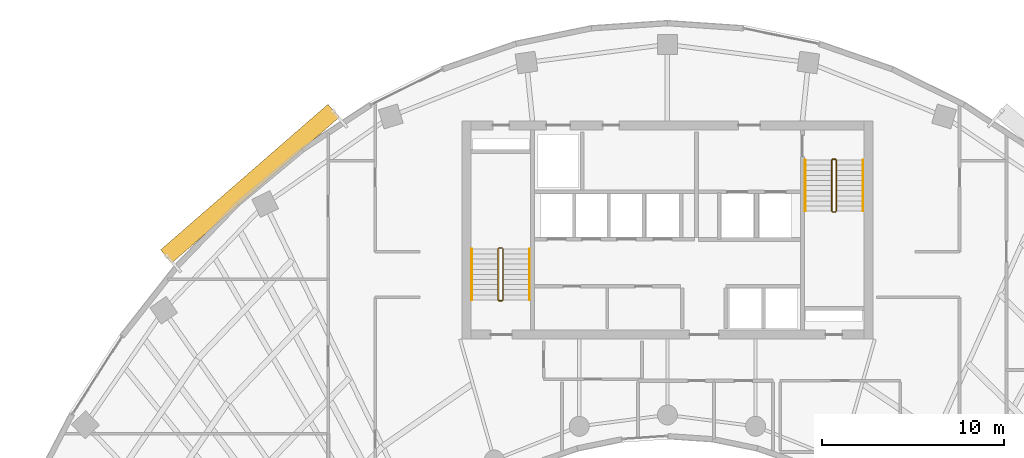
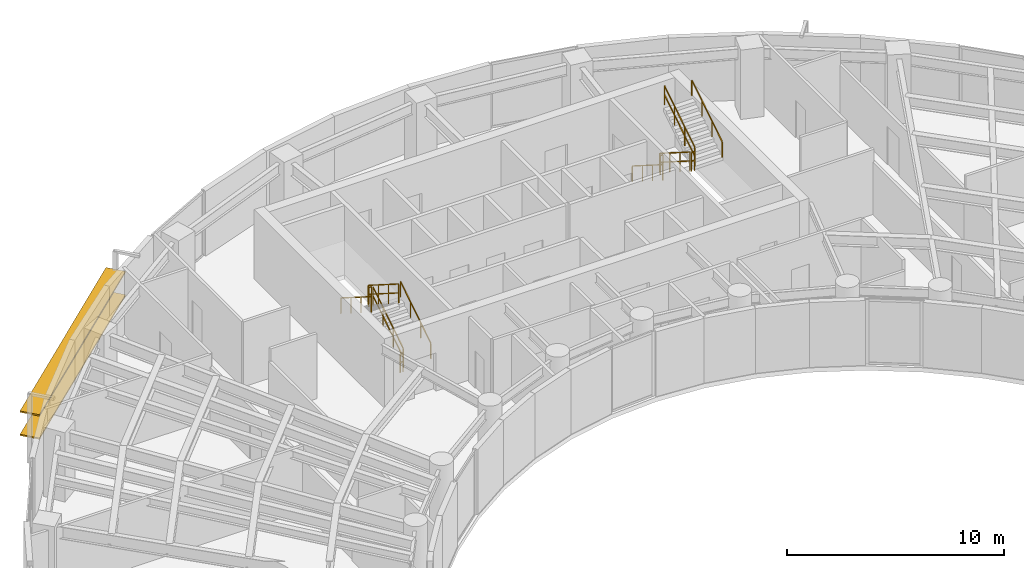
# One storey, part 11 of 12: 12 railings, 2 shading devices.
"""IFC4 building model written with IfcOpenShell, lengths in metres."""

from ifc_helpers import new_model, si_unit, direction, frame, origin, origin_2d, place, context, subcontext, project, spatial, rectangle, extrude, source, transform, mapped, material, material_profile, profile_set, type_object, type_shapes, element, save


model = new_model("IFC4")

# Units and contexts
model_context = context("Model", 3, precision=1e-05, world=origin(), true_north=direction((0.0, 1.0)))
body_context = subcontext(model_context, "Body", "Model", "MODEL_VIEW")
ifc_project = project(units=[si_unit("LENGTHUNIT", "METRE"), si_unit("AREAUNIT", "SQUARE_METRE"), si_unit("VOLUMEUNIT", "CUBIC_METRE"), si_unit("PLANEANGLEUNIT", "RADIAN"), si_unit("MASSUNIT", "GRAM", prefix="KILO")], contexts=[model_context])

# Site, building, storey
site_placement = place(None, origin())
site = spatial("IfcSite", under=ifc_project, at=site_placement, CompositionType="ELEMENT")
building_placement = place(site_placement, origin())
building = spatial("IfcBuilding", under=site, at=building_placement, Name="Breltana Convention Tower", CompositionType="ELEMENT")
storey_placement = place(building_placement, frame((0.0, 0.0, 150.60009765625)))
storey = spatial("IfcBuildingStorey", under=building, at=storey_placement, Name="L36", CompositionType="ELEMENT", Elevation=150.60009765625)

# Railings
ifc_material_1 = material(Name="Steel S275 Painted", Category="steel")
railing_type_1 = type_object("IfcRailingType", Name="RL-STAIR-GUARD-1100", PredefinedType="GUARDRAIL", material=ifc_material_1)
railing_1_placement = place(storey_placement, frame((38.9599609375, 62.360107421875, 0.17724609375)))
element("IfcRailing", 1, at=railing_1_placement, inside=storey, type_object=railing_type_1, Name="L36 ST-1 stair guard 1", PredefinedType="GUARDRAIL", context=body_context, shape_type="SweptSolid", body=[
    extrude(rectangle(XDim=0.048095703125, YDim=0.048095703125, at=origin_2d()), frame((0.0, 0.0, 1.076171875), z_axis=(0.0, 0.844887892834, 0.53494340686), x_axis=(-1.0, 0.0, 0.0)), (0.0, 0.0, 1.0), 3.313720703125),
    extrude(rectangle(XDim=0.048095703125, YDim=0.048095703125, at=origin_2d()), frame((0.0, 0.0, 0.572021484375), z_axis=(0.0, 0.844887892834, 0.53494340686), x_axis=(-1.0, 0.0, 0.0)), (0.0, 0.0, 1.0), 3.313720703125),
    extrude(rectangle(XDim=0.0419921875, YDim=0.0419921875, at=origin_2d()), origin(), (0.0, 0.0, 1.0), 1.052001953125),
    extrude(rectangle(XDim=0.0419921875, YDim=0.0419921875, at=origin_2d()), frame((0.0, 0.933349609375, 0.5908203125)), (0.0, 0.0, 1.0), 1.052001953125),
    extrude(rectangle(XDim=0.0419921875, YDim=0.0419921875, at=origin_2d()), frame((0.0, 1.866455078125, 1.181884765625)), (0.0, 0.0, 1.0), 1.052001953125),
    extrude(rectangle(XDim=0.0419921875, YDim=0.0419921875, at=origin_2d()), frame((0.0, 2.7998046875, 1.772705078125)), (0.0, 0.0, 1.0), 1.052001953125),
])
railing_2_placement = place(storey_placement, frame((38.909912109375, 65.2099609375, 1.949951171875)))
element("IfcRailing", 2, at=railing_2_placement, inside=storey, type_object=railing_type_1, Name="L36 ST-1 stair guard 2", PredefinedType="GUARDRAIL", context=body_context, shape_type="SweptSolid", body=[
    extrude(rectangle(XDim=0.048095703125, YDim=0.048095703125, at=origin_2d()), frame((0.0, 0.0, 1.076171875), z_axis=(-1.0, 0.0, 0.0), x_axis=(0.0, -1.0, 0.0)), (0.0, 0.0, 1.0), 0.14990234375),
    extrude(rectangle(XDim=0.048095703125, YDim=0.048095703125, at=origin_2d()), frame((0.0, 0.0, 0.572021484375), z_axis=(-1.0, 0.0, 0.0), x_axis=(0.0, -1.0, 0.0)), (0.0, 0.0, 1.0), 0.14990234375),
    extrude(rectangle(XDim=0.0419921875, YDim=0.0419921875, at=origin_2d()), origin(), (0.0, 0.0, 1.0), 1.052001953125),
    extrude(rectangle(XDim=0.0419921875, YDim=0.0419921875, at=origin_2d()), frame((-0.14990234375, 0.0, 0.0)), (0.0, 0.0, 1.0), 1.052001953125),
])
railing_3_placement = place(storey_placement, frame((38.7099609375, 65.159912109375, 2.127197265625)))
element("IfcRailing", 3, at=railing_3_placement, inside=storey, type_object=railing_type_1, Name="L36 ST-1 stair guard 3", PredefinedType="GUARDRAIL", context=body_context, shape_type="SweptSolid", body=[
    extrude(rectangle(XDim=0.048095703125, YDim=0.048095703125, at=origin_2d()), frame((0.0, 0.0, 1.076171875), z_axis=(0.0, -0.844887892834, 0.53494340686), x_axis=(1.0, 0.0, 0.0)), (0.0, 0.0, 1.0), 3.313720703125),
    extrude(rectangle(XDim=0.048095703125, YDim=0.048095703125, at=origin_2d()), frame((0.0, 0.0, 0.572021484375), z_axis=(0.0, -0.844887892834, 0.53494340686), x_axis=(1.0, 0.0, 0.0)), (0.0, 0.0, 1.0), 3.313720703125),
    extrude(rectangle(XDim=0.0419921875, YDim=0.0419921875, at=origin_2d()), origin(), (0.0, 0.0, 1.0), 1.052001953125),
    extrude(rectangle(XDim=0.0419921875, YDim=0.0419921875, at=origin_2d()), frame((0.0, -0.933349609375, 0.5908203125)), (0.0, 0.0, 1.0), 1.052001953125),
    extrude(rectangle(XDim=0.0419921875, YDim=0.0419921875, at=origin_2d()), frame((0.0, -1.866455078125, 1.181884765625)), (0.0, 0.0, 1.0), 1.052001953125),
    extrude(rectangle(XDim=0.0419921875, YDim=0.0419921875, at=origin_2d()), frame((0.0, -2.7998046875, 1.772705078125)), (0.0, 0.0, 1.0), 1.052001953125),
])
railing_4_placement = place(storey_placement, frame((38.909912109375, 62.31005859375, 0.0)))
element("IfcRailing", 4, at=railing_4_placement, inside=storey, type_object=railing_type_1, Name="L36 ST-1 stair guard 4", PredefinedType="GUARDRAIL", context=body_context, shape_type="SweptSolid", body=[
    extrude(rectangle(XDim=0.048095703125, YDim=0.048095703125, at=origin_2d()), frame((0.0, 0.0, 1.076171875), z_axis=(-1.0, 0.0, 0.0), x_axis=(0.0, -1.0, 0.0)), (0.0, 0.0, 1.0), 0.14990234375),
    extrude(rectangle(XDim=0.048095703125, YDim=0.048095703125, at=origin_2d()), frame((0.0, 0.0, 0.572021484375), z_axis=(-1.0, 0.0, 0.0), x_axis=(0.0, -1.0, 0.0)), (0.0, 0.0, 1.0), 0.14990234375),
    extrude(rectangle(XDim=0.0419921875, YDim=0.0419921875, at=origin_2d()), origin(), (0.0, 0.0, 1.0), 1.052001953125),
    extrude(rectangle(XDim=0.0419921875, YDim=0.0419921875, at=origin_2d()), frame((-0.14990234375, 0.0, 0.0)), (0.0, 0.0, 1.0), 1.052001953125),
])
railing_5_placement = place(storey_placement, frame((57.0400390625, 70.0400390625, 0.17724609375)))
element("IfcRailing", 5, at=railing_5_placement, inside=storey, type_object=railing_type_1, Name="L36 ST-2 stair guard 1", PredefinedType="GUARDRAIL", context=body_context, shape_type="SweptSolid", body=[
    extrude(rectangle(XDim=0.048095703125, YDim=0.048095703125, at=origin_2d()), frame((0.0, 0.0, 1.076171875), z_axis=(0.0, -0.844908973607, 0.534910110503), x_axis=(1.0, 0.0, 0.0)), (0.0, 0.0, 1.0), 3.31396484375),
    extrude(rectangle(XDim=0.048095703125, YDim=0.048095703125, at=origin_2d()), frame((0.0, 0.0, 0.572021484375), z_axis=(0.0, -0.844908973607, 0.534910110503), x_axis=(1.0, 0.0, 0.0)), (0.0, 0.0, 1.0), 3.31396484375),
    extrude(rectangle(XDim=0.0419921875, YDim=0.0419921875, at=origin_2d()), origin(), (0.0, 0.0, 1.0), 1.052001953125),
    extrude(rectangle(XDim=0.0419921875, YDim=0.0419921875, at=origin_2d()), frame((0.0, -0.933349609375, 0.5908203125)), (0.0, 0.0, 1.0), 1.052001953125),
    extrude(rectangle(XDim=0.0419921875, YDim=0.0419921875, at=origin_2d()), frame((0.0, -1.86669921875, 1.181884765625)), (0.0, 0.0, 1.0), 1.052001953125),
    extrude(rectangle(XDim=0.0419921875, YDim=0.0419921875, at=origin_2d()), frame((0.0, -2.800048828125, 1.772705078125)), (0.0, 0.0, 1.0), 1.052001953125),
])
railing_6_placement = place(storey_placement, frame((57.090087890625, 67.18994140625, 1.949951171875)))
element("IfcRailing", 6, at=railing_6_placement, inside=storey, type_object=railing_type_1, Name="L36 ST-2 stair guard 2", PredefinedType="GUARDRAIL", context=body_context, shape_type="SweptSolid", body=[
    extrude(rectangle(XDim=0.048095703125, YDim=0.048095703125, at=origin_2d()), frame((0.0, 0.0, 1.076171875), z_axis=(1.0, 0.0, 0.0), x_axis=(0.0, 1.0, 0.0)), (0.0, 0.0, 1.0), 0.14990234375),
    extrude(rectangle(XDim=0.048095703125, YDim=0.048095703125, at=origin_2d()), frame((0.0, 0.0, 0.572021484375), z_axis=(1.0, 0.0, 0.0), x_axis=(0.0, 1.0, 0.0)), (0.0, 0.0, 1.0), 0.14990234375),
    extrude(rectangle(XDim=0.0419921875, YDim=0.0419921875, at=origin_2d()), origin(), (0.0, 0.0, 1.0), 1.052001953125),
    extrude(rectangle(XDim=0.0419921875, YDim=0.0419921875, at=origin_2d()), frame((0.14990234375, 0.0, 0.0)), (0.0, 0.0, 1.0), 1.052001953125),
])
railing_7_placement = place(storey_placement, frame((57.2900390625, 67.239990234375, 2.127197265625)))
element("IfcRailing", 7, at=railing_7_placement, inside=storey, type_object=railing_type_1, Name="L36 ST-2 stair guard 3", PredefinedType="GUARDRAIL", context=body_context, shape_type="SweptSolid", body=[
    extrude(rectangle(XDim=0.048095703125, YDim=0.048095703125, at=origin_2d()), frame((0.0, 0.0, 1.076171875), z_axis=(0.0, 0.844908973607, 0.534910110503), x_axis=(-1.0, 0.0, 0.0)), (0.0, 0.0, 1.0), 3.31396484375),
    extrude(rectangle(XDim=0.048095703125, YDim=0.048095703125, at=origin_2d()), frame((0.0, 0.0, 0.572021484375), z_axis=(0.0, 0.844908973607, 0.534910110503), x_axis=(-1.0, 0.0, 0.0)), (0.0, 0.0, 1.0), 3.31396484375),
    extrude(rectangle(XDim=0.0419921875, YDim=0.0419921875, at=origin_2d()), origin(), (0.0, 0.0, 1.0), 1.052001953125),
    extrude(rectangle(XDim=0.0419921875, YDim=0.0419921875, at=origin_2d()), frame((0.0, 0.933349609375, 0.5908203125)), (0.0, 0.0, 1.0), 1.052001953125),
    extrude(rectangle(XDim=0.0419921875, YDim=0.0419921875, at=origin_2d()), frame((0.0, 1.86669921875, 1.181884765625)), (0.0, 0.0, 1.0), 1.052001953125),
    extrude(rectangle(XDim=0.0419921875, YDim=0.0419921875, at=origin_2d()), frame((0.0, 2.800048828125, 1.772705078125)), (0.0, 0.0, 1.0), 1.052001953125),
])
railing_8_placement = place(storey_placement, frame((57.090087890625, 70.090087890625, 0.0)))
element("IfcRailing", 8, at=railing_8_placement, inside=storey, type_object=railing_type_1, Name="L36 ST-2 stair guard 4", PredefinedType="GUARDRAIL", context=body_context, shape_type="SweptSolid", body=[
    extrude(rectangle(XDim=0.048095703125, YDim=0.048095703125, at=origin_2d()), frame((0.0, 0.0, 1.076171875), z_axis=(1.0, 0.0, 0.0), x_axis=(0.0, 1.0, 0.0)), (0.0, 0.0, 1.0), 0.14990234375),
    extrude(rectangle(XDim=0.048095703125, YDim=0.048095703125, at=origin_2d()), frame((0.0, 0.0, 0.572021484375), z_axis=(1.0, 0.0, 0.0), x_axis=(0.0, 1.0, 0.0)), (0.0, 0.0, 1.0), 0.14990234375),
    extrude(rectangle(XDim=0.0419921875, YDim=0.0419921875, at=origin_2d()), origin(), (0.0, 0.0, 1.0), 1.052001953125),
    extrude(rectangle(XDim=0.0419921875, YDim=0.0419921875, at=origin_2d()), frame((0.14990234375, 0.0, 0.0)), (0.0, 0.0, 1.0), 1.052001953125),
])
ifc_material_2 = material(Name="Stainless Steel 316L", Category="steel")
railing_type_2 = type_object("IfcRailingType", Name="RL-STAIR-HANDRAIL-900", PredefinedType="HANDRAIL", material=ifc_material_2)
railing_9_placement = place(storey_placement, frame((40.419921875, 62.360107421875, 0.17724609375)))
element("IfcRailing", 9, at=railing_9_placement, inside=storey, type_object=railing_type_2, Name="L36 ST-1 stair handrail 1", PredefinedType="HANDRAIL", context=body_context, shape_type="SweptSolid", body=[
    extrude(rectangle(XDim=0.048095703125, YDim=0.048095703125, at=origin_2d()), frame((0.0, 0.0, 0.8759765625), z_axis=(0.0, 0.844887892834, 0.53494340686), x_axis=(-1.0, 0.0, 0.0)), (0.0, 0.0, 1.0), 3.313720703125),
    extrude(rectangle(XDim=0.0419921875, YDim=0.0419921875, at=origin_2d()), origin(), (0.0, 0.0, 1.0), 0.851806640625),
    extrude(rectangle(XDim=0.0419921875, YDim=0.0419921875, at=origin_2d()), frame((0.0, 0.933349609375, 0.5908203125)), (0.0, 0.0, 1.0), 0.851806640625),
    extrude(rectangle(XDim=0.0419921875, YDim=0.0419921875, at=origin_2d()), frame((0.0, 1.866455078125, 1.181884765625)), (0.0, 0.0, 1.0), 0.851806640625),
    extrude(rectangle(XDim=0.0419921875, YDim=0.0419921875, at=origin_2d()), frame((0.0, 2.7998046875, 1.772705078125)), (0.0, 0.0, 1.0), 0.851806640625),
])
railing_10_placement = place(storey_placement, frame((37.25, 65.159912109375, 2.127197265625)))
element("IfcRailing", 10, at=railing_10_placement, inside=storey, type_object=railing_type_2, Name="L36 ST-1 stair handrail 2", PredefinedType="HANDRAIL", context=body_context, shape_type="SweptSolid", body=[
    extrude(rectangle(XDim=0.048095703125, YDim=0.048095703125, at=origin_2d()), frame((0.0, 0.0, 0.8759765625), z_axis=(0.0, -0.844887892834, 0.53494340686), x_axis=(1.0, 0.0, 0.0)), (0.0, 0.0, 1.0), 3.313720703125),
    extrude(rectangle(XDim=0.0419921875, YDim=0.0419921875, at=origin_2d()), origin(), (0.0, 0.0, 1.0), 0.851806640625),
    extrude(rectangle(XDim=0.0419921875, YDim=0.0419921875, at=origin_2d()), frame((0.0, -0.933349609375, 0.5908203125)), (0.0, 0.0, 1.0), 0.851806640625),
    extrude(rectangle(XDim=0.0419921875, YDim=0.0419921875, at=origin_2d()), frame((0.0, -1.866455078125, 1.181884765625)), (0.0, 0.0, 1.0), 0.851806640625),
    extrude(rectangle(XDim=0.0419921875, YDim=0.0419921875, at=origin_2d()), frame((0.0, -2.7998046875, 1.772705078125)), (0.0, 0.0, 1.0), 0.851806640625),
])
railing_11_placement = place(storey_placement, frame((55.580078125, 70.0400390625, 0.17724609375)))
element("IfcRailing", 11, at=railing_11_placement, inside=storey, type_object=railing_type_2, Name="L36 ST-2 stair handrail 1", PredefinedType="HANDRAIL", context=body_context, shape_type="SweptSolid", body=[
    extrude(rectangle(XDim=0.048095703125, YDim=0.048095703125, at=origin_2d()), frame((0.0, 0.0, 0.8759765625), z_axis=(0.0, -0.844908973607, 0.534910110503), x_axis=(1.0, 0.0, 0.0)), (0.0, 0.0, 1.0), 3.31396484375),
    extrude(rectangle(XDim=0.0419921875, YDim=0.0419921875, at=origin_2d()), origin(), (0.0, 0.0, 1.0), 0.851806640625),
    extrude(rectangle(XDim=0.0419921875, YDim=0.0419921875, at=origin_2d()), frame((0.0, -0.933349609375, 0.5908203125)), (0.0, 0.0, 1.0), 0.851806640625),
    extrude(rectangle(XDim=0.0419921875, YDim=0.0419921875, at=origin_2d()), frame((0.0, -1.86669921875, 1.181884765625)), (0.0, 0.0, 1.0), 0.851806640625),
    extrude(rectangle(XDim=0.0419921875, YDim=0.0419921875, at=origin_2d()), frame((0.0, -2.800048828125, 1.772705078125)), (0.0, 0.0, 1.0), 0.851806640625),
])
railing_12_placement = place(storey_placement, frame((58.75, 67.239990234375, 2.127197265625)))
element("IfcRailing", 12, at=railing_12_placement, inside=storey, type_object=railing_type_2, Name="L36 ST-2 stair handrail 2", PredefinedType="HANDRAIL", context=body_context, shape_type="SweptSolid", body=[
    extrude(rectangle(XDim=0.048095703125, YDim=0.048095703125, at=origin_2d()), frame((0.0, 0.0, 0.8759765625), z_axis=(0.0, 0.844908973607, 0.534910110503), x_axis=(-1.0, 0.0, 0.0)), (0.0, 0.0, 1.0), 3.31396484375),
    extrude(rectangle(XDim=0.0419921875, YDim=0.0419921875, at=origin_2d()), origin(), (0.0, 0.0, 1.0), 0.851806640625),
    extrude(rectangle(XDim=0.0419921875, YDim=0.0419921875, at=origin_2d()), frame((0.0, 0.933349609375, 0.5908203125)), (0.0, 0.0, 1.0), 0.851806640625),
    extrude(rectangle(XDim=0.0419921875, YDim=0.0419921875, at=origin_2d()), frame((0.0, 1.86669921875, 1.181884765625)), (0.0, 0.0, 1.0), 0.851806640625),
    extrude(rectangle(XDim=0.0419921875, YDim=0.0419921875, at=origin_2d()), frame((0.0, 2.800048828125, 1.772705078125)), (0.0, 0.0, 1.0), 0.851806640625),
])

# Shading devices
ifc_material_3 = material(Name="Limestone Warm Buff Honed", Category="masonry")
ifc_material_profile = material_profile(ifc_material_3, rectangle(XDim=0.949951171875, YDim=0.080078125, at=origin_2d()), Name="STN-LVR-950X80")
ifc_profile_set = profile_set([ifc_material_profile], Name="Limestone Warm Buff Honed")
shading_device_type = type_object("IfcShadingDeviceType", Name="SHD-OUTER-SKIN-LIMESTONE-950", PredefinedType="JALOUSIE", material=ifc_profile_set)
shared_shape = source(origin(), body_context, "Body", "SweptSolid", [
    extrude(rectangle(XDim=0.949951171875, YDim=0.080078125, at=origin_2d()), origin(), (0.0, 0.0, 1.0), 12.1943359375),
])
type_shapes(shading_device_type, [shared_shape])
for number, where, z_axis, x_axis, name in (
    (13, (20.451904296875, 64.74951171875, 1.31396484375), (0.754361083307, 0.656459713914, 0.0), (-0.656459713914, 0.754361083307, 0.0), "L36 outer skin warm limestone louvre 1.1"),
    (14, (20.451904296875, 64.74951171875, 2.6279296875), (0.754361083307, 0.656459713914, 0.0), (-0.656459713914, 0.754361083307, 0.0), "L36 outer skin warm limestone louvre 1.2"),
):
    element("IfcShadingDevice", number, at=place(storey_placement, frame(where, z_axis=z_axis, x_axis=x_axis)), inside=storey, type_object=shading_device_type, Name=name, PredefinedType="JALOUSIE", context=body_context, shape_type="MappedRepresentation", body=[
        mapped(shared_shape, transform((0.0, 0.0, 0.0), scale=1.0)),
    ])

save(model, "model.ifc")
